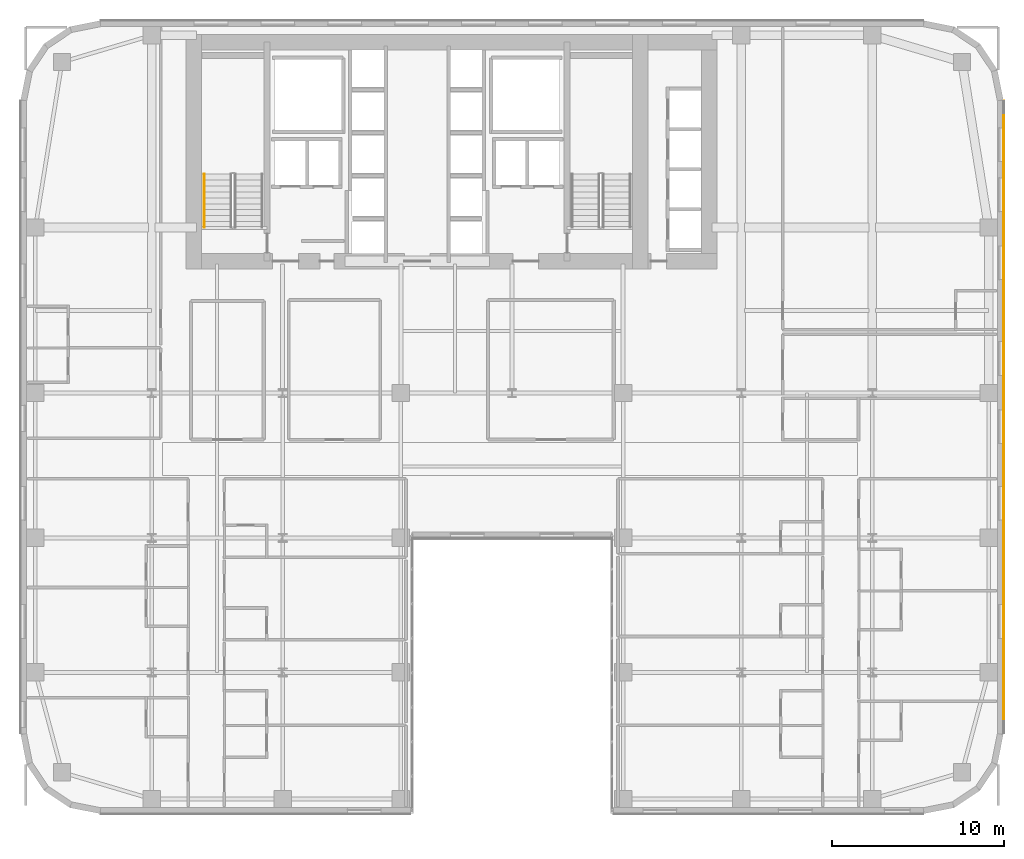
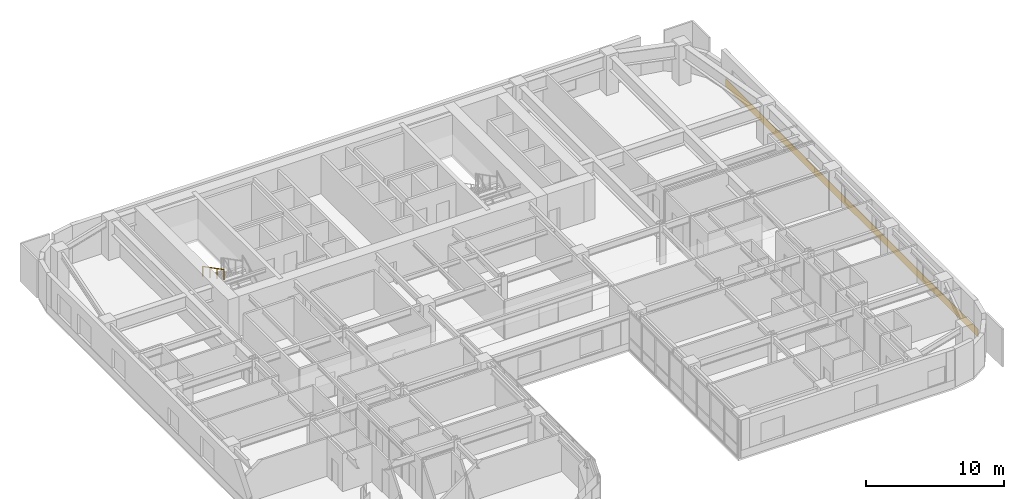
# One storey, part 22 of 25: 1 covering, 1 railing.
"""IFC4 building model written with IfcOpenShell, lengths in metres."""

from ifc_helpers import new_model, si_unit, direction, frame, origin, origin_2d, place, context, subcontext, project, spatial, polyline, circle, outline, extrude, material, layer, layer_set, type_object, element, save


model = new_model("IFC4")

# Units and contexts
model_context = context("Model", 3, precision=1e-05, world=origin(), true_north=direction((0.0, 1.0)))
body_context = subcontext(model_context, "Body", "Model", "MODEL_VIEW")
ifc_project = project(units=[si_unit("LENGTHUNIT", "METRE"), si_unit("AREAUNIT", "SQUARE_METRE"), si_unit("VOLUMEUNIT", "CUBIC_METRE"), si_unit("PLANEANGLEUNIT", "RADIAN"), si_unit("MASSUNIT", "GRAM", prefix="KILO")], contexts=[model_context])

# Site, building, storey
site_placement = place(None, origin())
site = spatial("IfcSite", under=ifc_project, at=site_placement, CompositionType="ELEMENT")
building_placement = place(site_placement, origin())
building = spatial("IfcBuilding", under=site, at=building_placement, Name="Tolvann Quenvar Hotel", CompositionType="ELEMENT")
storey_placement = place(building_placement, frame((0.0, 0.0, 46.199951171875)))
storey = spatial("IfcBuildingStorey", under=building, at=storey_placement, Name="L10", CompositionType="ELEMENT", Elevation=46.199951171875)

# Covering
ifc_material_1 = material(Name="Moulded buff architectural terracotta spandrel cladding", Category="masonry")
ifc_layer = layer(ifc_material_1, 0.0400390625)
ifc_layer_set = layer_set([ifc_layer], Name="Moulded buff architectural terracotta spandrel cladding")
covering_type = type_object("IfcCoveringType", Name="COV_CLAD_TERRA_40", PredefinedType="CLADDING", material=ifc_layer_set)
covering_placement = place(storey_placement, origin())
element("IfcCovering", 1, at=covering_placement, inside=storey, type_object=covering_type, Name="Terracotta Spandrel Cladding (L10-E13)", PredefinedType="CLADDING", context=body_context, shape_type="SweptSolid", body=[
    extrude(outline(polyline([(57.0, 4.6572265625), (57.0, 41.3427734375), (57.0400390625, 41.3427734375), (57.0400390625, 4.6572265625), (57.0, 4.6572265625)])), origin(), (0.0, 0.0, 1.0), 0.699951171875),
])

# Railing
ifc_material_2 = material(Name="Brushed 316 stainless steel balustrade and handrail", Category="steel")
railing_type = type_object("IfcRailingType", Name="HANDRAIL", PredefinedType="HANDRAIL", material=ifc_material_2)
railing_placement = place(storey_placement, frame((10.64990234375, 37.10498046875, 1.95263671875)))
element("IfcRailing", 2, at=railing_placement, inside=storey, type_object=railing_type, Name="L10 ST-C1 stair handrail 2", PredefinedType="HANDRAIL", context=body_context, shape_type="SweptSolid", body=[
    extrude(circle(Radius=0.02392578125, at=origin_2d()), frame((0.0, 0.0, 0.8759765625), z_axis=(0.0, -0.889221982265, 0.45747597342), x_axis=(1.0, 0.0, 0.0)), (0.0, 0.0, 1.0), 3.49169921875),
    extrude(circle(Radius=0.02099609375, at=origin_2d()), origin(), (0.0, 0.0, 1.0), 0.851806640625),
    extrude(circle(Radius=0.02099609375, at=origin_2d()), frame((0.0, -1.034912109375, 0.532470703125)), (0.0, 0.0, 1.0), 0.851806640625),
    extrude(circle(Radius=0.02099609375, at=origin_2d()), frame((0.0, -2.070068359375, 1.06494140625)), (0.0, 0.0, 1.0), 0.851806640625),
    extrude(circle(Radius=0.02099609375, at=origin_2d()), frame((0.0, -3.10498046875, 1.597412109375)), (0.0, 0.0, 1.0), 0.851806640625),
])

save(model, "model.ifc")
